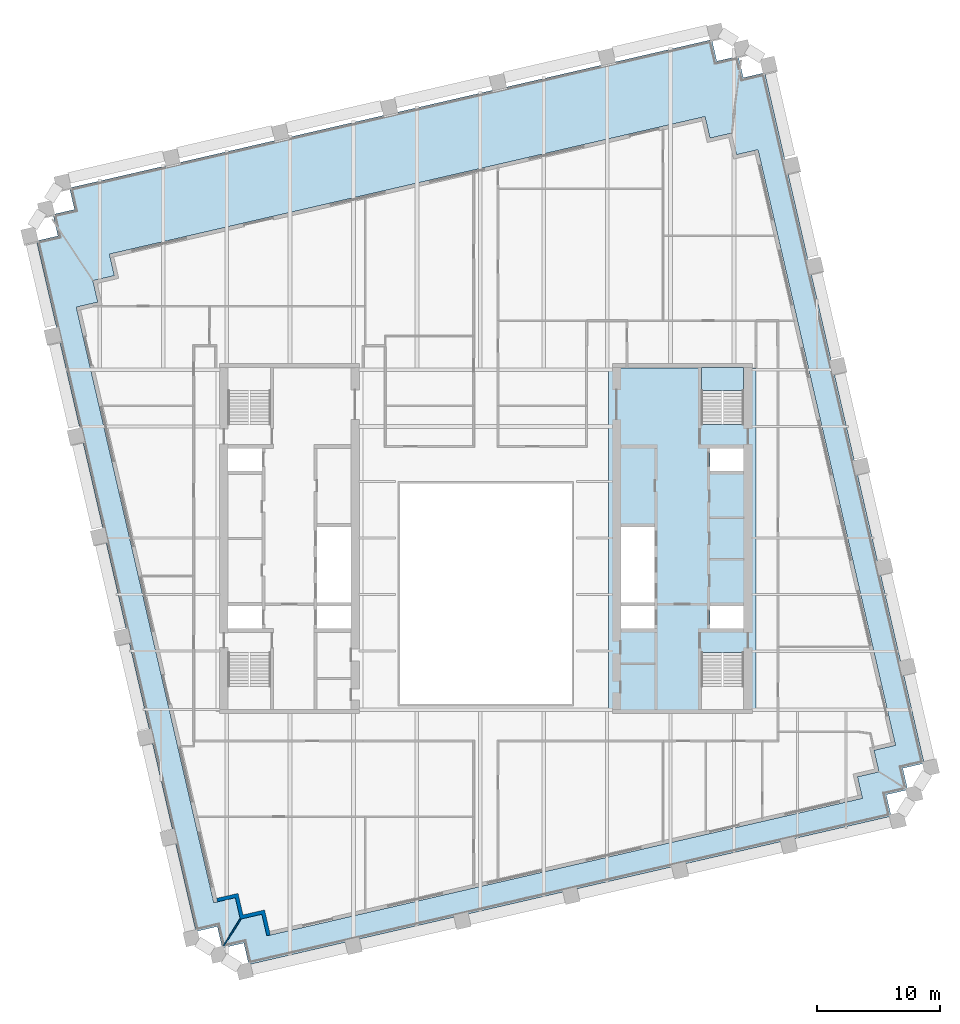
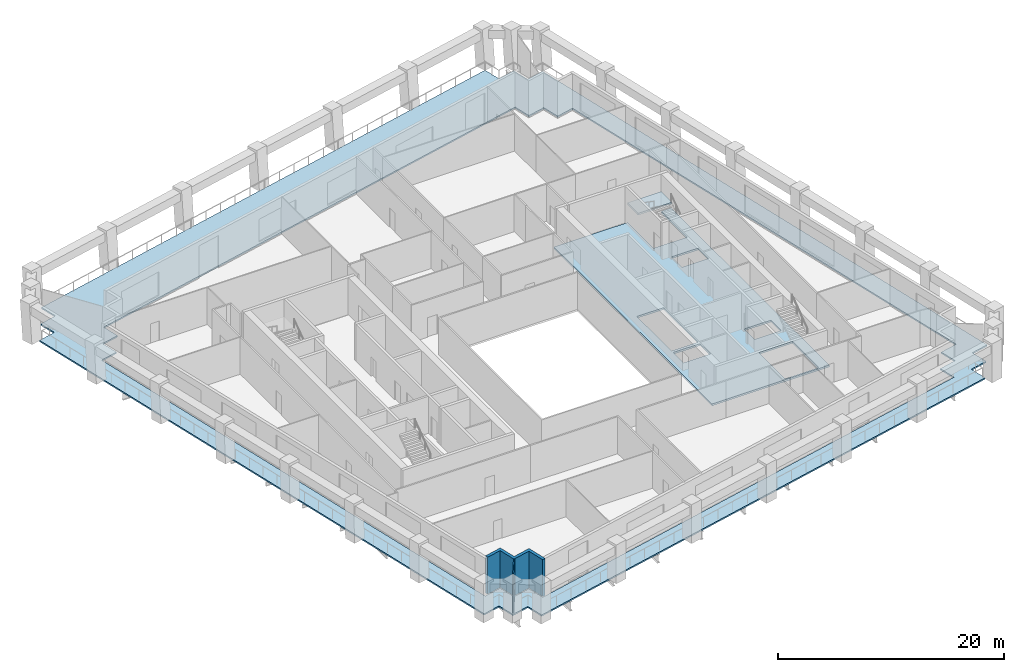
# One storey, part 3 of 11: 3 slabs, 2 walls, 1 element without a shape of its own.
"""IFC4 building model written with IfcOpenShell, lengths in metres."""

from ifc_helpers import new_model, si_unit, direction, frame, frame_2d, origin, place, context, subcontext, project, spatial, polyline, rectangle, outline, extrude, material, layer, layer_set, type_object, element, aggregate, save


model = new_model("IFC4")

# Units and contexts
model_context = context("Model", 3, precision=1e-05, world=origin(), true_north=direction((0.0, 1.0)))
body_context = subcontext(model_context, "Body", "Model", "MODEL_VIEW")
ifc_project = project(units=[si_unit("LENGTHUNIT", "METRE"), si_unit("AREAUNIT", "SQUARE_METRE"), si_unit("VOLUMEUNIT", "CUBIC_METRE"), si_unit("PLANEANGLEUNIT", "RADIAN"), si_unit("MASSUNIT", "GRAM", prefix="KILO")], contexts=[model_context])

# Site, building, storey
site_placement = place(None, origin())
site = spatial("IfcSite", under=ifc_project, at=site_placement, CompositionType="ELEMENT")
building_placement = place(site_placement, origin())
building = spatial("IfcBuilding", under=site, at=building_placement, Name="Ogive Exchange Tower", CompositionType="ELEMENT")
storey_placement = place(building_placement, frame((0.0, 0.0, 213.60009765625)))
storey = spatial("IfcBuildingStorey", under=building, at=storey_placement, Name="L47", CompositionType="ELEMENT", Elevation=213.60009765625)

# Slabs
ifc_material_1 = material(Name="Concrete C70/85", Category="concrete")
ifc_layer_1 = layer(ifc_material_1, 0.199951171875)
ifc_layer_set_1 = layer_set([ifc_layer_1], Name="Core floor slab 200")
slab_type_1 = type_object("IfcSlabType", Name="Core floor slab 200", PredefinedType="FLOOR", material=ifc_layer_set_1)
slab_1_placement = place(storey_placement, frame((0.0, 0.0, -0.2001953125)))
element("IfcSlab", 1, at=slab_1_placement, inside=storey, type_object=slab_type_1, Name="Core floor slab", PredefinedType="FLOOR", context=body_context, shape_type="SweptSolid", body=[
    extrude(outline(polyline([(22.0, 25.39990234375), (22.0, -2.60009765625), (10.0, -2.60009765625), (10.0, 25.39990234375), (17.550048828125, 25.39990234375), (17.550048828125, 20.803955078125), (21.0, 20.803955078125), (21.0, 25.39990234375), (22.0, 25.39990234375)]), holes=[polyline([(21.0, 2.196044921875), (17.550048828125, 2.196044921875), (17.550048828125, -2.449951171875), (21.0, -2.449951171875), (21.0, 2.196044921875)]), polyline([(13.75, 5.992919921875), (11.0, 5.992919921875), (11.0, 4.14990234375), (13.75, 4.14990234375), (13.75, 5.992919921875)]), polyline([(21.0, 5.992919921875), (18.25, 5.992919921875), (18.25, 4.14990234375), (21.0, 4.14990234375), (21.0, 5.992919921875)]), polyline([(11.0, 12.42138671875), (11.0, 6.29296875), (13.75, 6.29296875), (13.75, 12.42138671875), (11.0, 12.42138671875)]), polyline([(21.0, 18.85009765625), (18.25, 18.85009765625), (18.25, 17.007080078125), (21.0, 17.007080078125), (21.0, 18.85009765625)])]), origin(), (0.0, 0.0, 1.0), 0.2001953125),
])
ifc_material_2 = material(Name="Concrete C50/60", Category="concrete")
ifc_layer_2 = layer(ifc_material_2, 0.14990234375)
ifc_layer_set_2 = layer_set([ifc_layer_2], Name="Loggia deck 150")
slab_type_2 = type_object("IfcSlabType", Name="Loggia deck 150", PredefinedType="FLOOR", material=ifc_layer_set_2)
slab_2_placement = place(storey_placement, frame((0.0, 0.0, -0.2001953125)))
element("IfcSlab", 2, at=slab_2_placement, inside=storey, type_object=slab_type_2, Name="Loggia deck", PredefinedType="FLOOR", context=body_context, shape_type="SweptSolid", body=[
    extrude(outline(polyline([(-19.717041015625, -21.45556640625), (-21.470947265625, -21.860595703125), (-21.875732421875, -20.106689453125), (-23.629638671875, -20.51171875), (-36.616943359375, 35.7421875), (-34.863037109375, 36.147216796875), (-35.267822265625, 37.901123046875), (-33.513916015625, 38.305908203125), (-33.9189453125, 40.059814453125), (18.40478515625, 52.1396484375), (18.8095703125, 50.385986328125), (20.5634765625, 50.790771484375), (20.968505859375, 49.036865234375), (22.722412109375, 49.44189453125), (35.70947265625, -6.81201171875), (33.95556640625, -7.217041015625), (34.360595703125, -8.970947265625), (32.606689453125, -9.375732421875), (33.01171875, -11.129638671875), (-19.31201171875, -23.20947265625), (-19.717041015625, -21.45556640625)]), holes=[polyline([(30.26806640625, -7.914306640625), (32.02197265625, -7.509521484375), (31.616943359375, -5.755615234375), (33.370849609375, -5.3505859375), (22.168212890625, 43.1728515625), (20.414306640625, 42.76806640625), (20.009521484375, 44.52197265625), (18.255615234375, 44.116943359375), (17.8505859375, 45.870849609375), (-30.6728515625, 34.668212890625), (-30.26806640625, 32.914306640625), (-32.02197265625, 32.509521484375), (-31.616943359375, 30.755615234375), (-33.370849609375, 30.3505859375), (-22.168212890625, -18.1728515625), (-20.414306640625, -17.76806640625), (-20.009521484375, -19.52197265625), (-18.255615234375, -19.116943359375), (-17.8505859375, -20.870849609375), (30.6728515625, -9.668212890625), (30.26806640625, -7.914306640625)])]), origin(), (0.0, 0.0, 1.0), 0.150146484375),
])

# Stair, slab
ifc_material_3 = material(Name="Concrete C40/50", Category="concrete")
stair_type = type_object("IfcStairType", Name="Exit stair 1650 wide", PredefinedType="HALF_TURN_STAIR", material=ifc_material_3)
stair_placement = place(storey_placement, origin())
stair = element("IfcStair", 3, at=stair_placement, inside=storey, type_object=stair_type, Name="L47 exit stair ST4", PredefinedType="HALF_TURN_STAIR")
ifc_layer_3 = layer(ifc_material_3, 0.199951171875)
ifc_layer_set_3 = layer_set([ifc_layer_3], Name="Stair landing 200 slab")
slab_type_3 = type_object("IfcSlabType", Name="Stair landing 200 slab", PredefinedType="LANDING", material=ifc_layer_set_3)
slab_3_placement = place(storey_placement, frame((0.0, 0.0, 1.89990234375)))
slab_3 = element("IfcSlab", 4, at=slab_3_placement, type_object=slab_type_3, Name="ST4 landing 1", PredefinedType="LANDING", context=body_context, shape_type="SweptSolid", body=[
    extrude(outline(polyline([(21.0, 23.550048828125), (21.0, 25.449951171875), (17.550048828125, 25.449951171875), (17.550048828125, 23.550048828125), (21.0, 23.550048828125)])), origin(), (0.0, 0.0, 1.0), 0.199951171875),
])
aggregate(stair, [slab_3])

# Walls
ifc_material_4 = material(Name="Precast concrete C40/50", Category="concrete")
ifc_layer_4 = layer(ifc_material_4, 0.300048828125)
ifc_layer_set_4 = layer_set([ifc_layer_4], Name="Limestone-faced wall 300")
wall_type_1 = type_object("IfcWallType", Name="Limestone-faced wall 300", PredefinedType="STANDARD", material=ifc_layer_set_4)
wall_1_placement = place(storey_placement, origin())
element("IfcWall", 5, at=wall_1_placement, inside=storey, type_object=wall_type_1, Name="External corner wall C4", PredefinedType="STANDARD", context=body_context, shape_type="SweptSolid", body=[
    extrude(outline(polyline([(-18.255615234375, -19.116943359375), (-20.009521484375, -19.52197265625), (-20.414306640625, -17.76806640625), (-21.8759765625, -18.10546875), (-21.943359375, -17.81298828125), (-20.189697265625, -17.408203125), (-19.78466796875, -19.162109375), (-18.03076171875, -18.757080078125), (-17.558349609375, -20.80322265625), (-17.8505859375, -20.870849609375), (-18.255615234375, -19.116943359375)])), origin(), (0.0, 0.0, 1.0), 4.0),
])
ifc_material_5 = material(Name="Laminated safety glass in steel frame", Category="steel")
ifc_layer_5 = layer(ifc_material_5, 0.10009765625)
ifc_layer_set_5 = layer_set([ifc_layer_5], Name="Loggia end screen 100")
wall_type_2 = type_object("IfcWallType", Name="Loggia end screen 100", PredefinedType="STANDARD", material=ifc_layer_set_5)
wall_2_placement = place(storey_placement, frame((-20.009521484375, -19.52197265625, -0.050048828125), z_axis=(0.0, 0.0, 1.0), x_axis=(-0.529920736377, -0.848047176257, 0.0)))
element("IfcWall", 6, at=wall_2_placement, inside=storey, type_object=wall_type_2, Name="Loggia end screen C4", PredefinedType="STANDARD", context=body_context, shape_type="SweptSolid", body=[
    extrude(rectangle(XDim=2.525634765625, YDim=0.10009765625, at=frame_2d((1.2626953125, 0.0))), origin(), (0.0, 0.0, 1.0), 4.050048828125),
])

save(model, "model.ifc")
